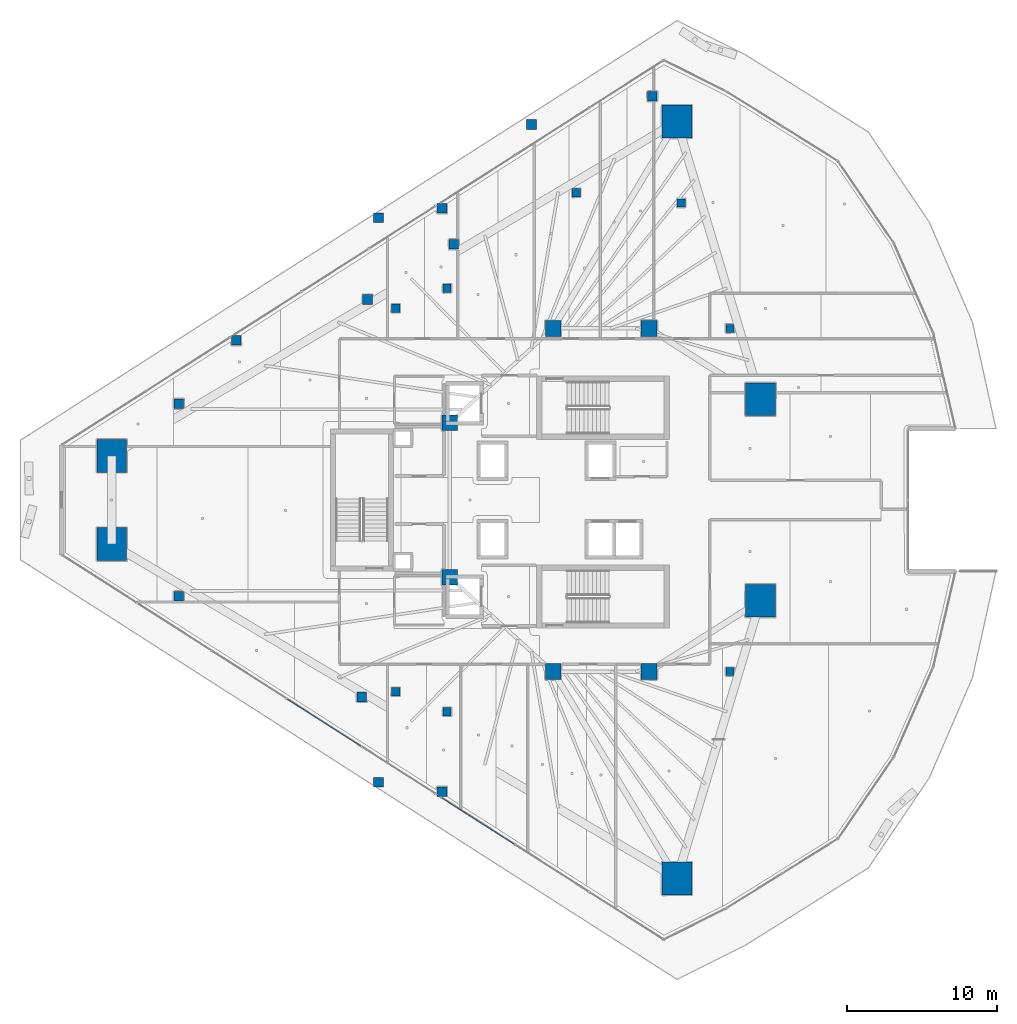
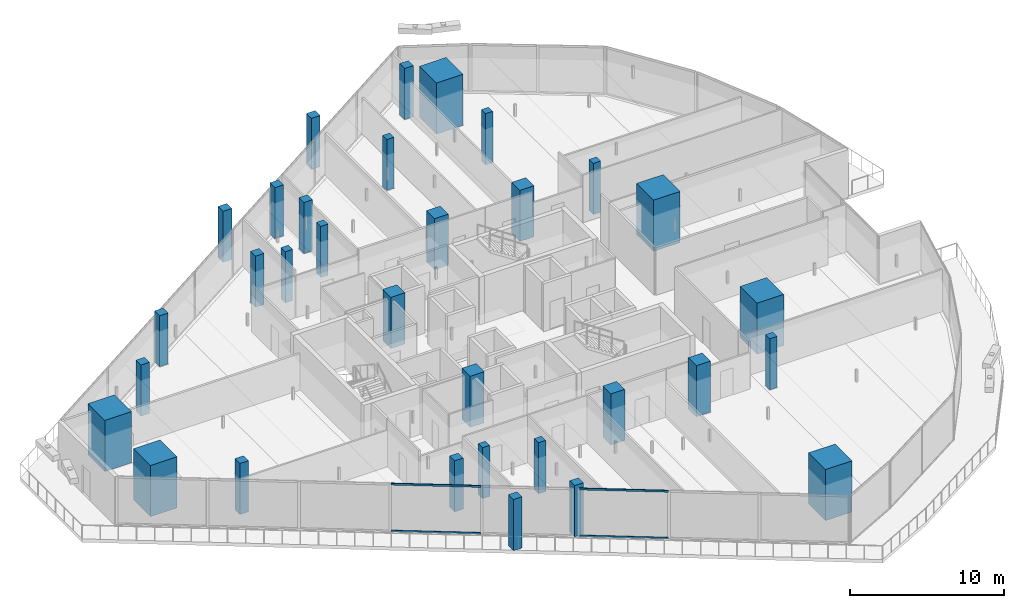
# One storey, part 1 of 39: 32 columns, 4 members, 2 elements without a shape of their own.
"""IFC4 building model written with IfcOpenShell, lengths in metres."""

from ifc_helpers import new_model, si_unit, direction, frame, origin, origin_2d, place, context, subcontext, project, spatial, rectangle, hollow_rectangle, extrude, material, layer, layer_set, material_profile, profile_set, type_object, element, aggregate, save


model = new_model("IFC4")

# Units and contexts
model_context = context("Model", 3, precision=1e-05, world=origin(), true_north=direction((0.0, 1.0)))
body_context = subcontext(model_context, "Body", "Model", "MODEL_VIEW")
ifc_project = project(units=[si_unit("LENGTHUNIT", "METRE"), si_unit("AREAUNIT", "SQUARE_METRE"), si_unit("VOLUMEUNIT", "CUBIC_METRE"), si_unit("PLANEANGLEUNIT", "RADIAN"), si_unit("MASSUNIT", "GRAM", prefix="KILO")], contexts=[model_context])

# Site, building, storey
site_placement = place(None, origin())
site = spatial("IfcSite", under=ifc_project, at=site_placement, CompositionType="ELEMENT")
building_placement = place(site_placement, origin())
building = spatial("IfcBuilding", under=site, at=building_placement, Name="Qorvath Tower", CompositionType="ELEMENT")
storey_placement = place(building_placement, frame((0.0, 0.0, 162.449951171875)))
storey = spatial("IfcBuildingStorey", under=building, at=storey_placement, Name="L37", CompositionType="ELEMENT", Elevation=162.449951171875)

# Columns
ifc_material_1 = material(Name="Concrete C70/85", Category="concrete")
ifc_material_profile_1 = material_profile(ifc_material_1, rectangle(XDim=2.0, YDim=2.199951171875, at=origin_2d()), Name="MC 2200x2000")
ifc_profile_set_1 = profile_set([ifc_material_profile_1], Name="Concrete C70/85")
column_type_1 = type_object("IfcColumnType", Name="COL-MC2", PredefinedType="COLUMN", material=ifc_profile_set_1)
for number, where, z_axis, x_axis, name in (
    (1, (-53.04931640625, 2.95068359375, 0.0), (0.0, 0.0, 1.0), (1.0, 0.0, 0.0), "Composite Mega-Column MC1 L37"),
    (2, (-53.04931640625, -2.95068359375, 0.0), (0.0, 0.0, 1.0), (1.0, 0.0, 0.0), "Composite Mega-Column MC2 L37"),
    (3, (-15.34423828125, -25.24609375, 0.0), (0.0, 0.0, 1.0), (1.0, 0.0, 0.0), "Composite Mega-Column MC3 L37"),
    (4, (-9.770263671875, -6.721435546875, 0.0), (0.0, 0.0, 1.0), (1.0, 0.0, 0.0), "Composite Mega-Column MC4 L37"),
    (5, (-9.770263671875, 6.721435546875, 0.0), (0.0, 0.0, 1.0), (1.0, 0.0, 0.0), "Composite Mega-Column MC5 L37"),
    (6, (-15.34423828125, 25.24609375, 0.0), (0.0, 0.0, 1.0), (1.0, 0.0, 0.0), "Composite Mega-Column MC6 L37"),
):
    element("IfcColumn", number, at=place(storey_placement, frame(where, z_axis=z_axis, x_axis=x_axis)), inside=storey, type_object=column_type_1, Name=name, PredefinedType="COLUMN", context=body_context, shape_type="SweptSolid", body=[
        extrude(rectangle(XDim=2.0, YDim=2.199951171875, at=origin_2d()), origin(), (0.0, 0.0, 1.0), 4.050048828125),
    ])
ifc_material_2 = material(Name="Concrete C60/75", Category="concrete")
ifc_material_profile_2 = material_profile(ifc_material_2, rectangle(XDim=1.050048828125, YDim=1.050048828125, at=origin_2d()), Name="RC 1050x1050")
ifc_profile_set_2 = profile_set([ifc_material_profile_2], Name="Concrete C60/75")
column_type_2 = type_object("IfcColumnType", Name="COL-RC2", PredefinedType="COLUMN", material=ifc_profile_set_2)
for number, where, z_axis, x_axis, name in (
    (7, (-23.60009765625, 11.449951171875, 0.0), (0.0, 0.0, 1.0), (1.0, 0.0, 0.0), "Core Spine Column CC1 L37"),
    (8, (-17.199951171875, 11.449951171875, 0.0), (0.0, 0.0, 1.0), (1.0, 0.0, 0.0), "Core Spine Column CC2 L37"),
    (9, (-17.199951171875, -11.449951171875, 0.0), (0.0, 0.0, 1.0), (1.0, 0.0, 0.0), "Core Spine Column CC3 L37"),
    (10, (-23.60009765625, -11.449951171875, 0.0), (0.0, 0.0, 1.0), (1.0, 0.0, 0.0), "Core Spine Column CC4 L37"),
    (11, (-30.5, 5.14990234375, 0.0), (0.0, 0.0, 1.0), (1.0, 0.0, 0.0), "Core Spine Column CC5 L37"),
    (12, (-30.5, -5.14990234375, 0.0), (0.0, 0.0, 1.0), (1.0, 0.0, 0.0), "Core Spine Column CC6 L37"),
):
    element("IfcColumn", number, at=place(storey_placement, frame(where, z_axis=z_axis, x_axis=x_axis)), inside=storey, type_object=column_type_2, Name=name, PredefinedType="COLUMN", context=body_context, shape_type="SweptSolid", body=[
        extrude(rectangle(XDim=1.050048828125, YDim=1.050048828125, at=origin_2d()), origin(), (0.0, 0.0, 1.0), 4.050048828125),
    ])
ifc_material_3 = material(Name="Concrete C45/55", Category="concrete")
ifc_material_profile_3 = material_profile(ifc_material_3, rectangle(XDim=0.64990234375, YDim=0.64990234375, at=origin_2d()), Name="RC 650x650")
ifc_profile_set_3 = profile_set([ifc_material_profile_3], Name="Concrete C45/55")
column_type_3 = type_object("IfcColumnType", Name="COL-RC6", PredefinedType="COLUMN", material=ifc_profile_set_3)
for number, where, z_axis, x_axis, name in (
    (13, (-35.251708984375, 18.829345703125, 0.0), (0.0, 0.0, 1.0), (1.0, 0.0, 0.0), "Loggia Frame Pier Column LGC1 L37"),
    (14, (-35.251708984375, -18.829345703125, 0.0), (0.0, 0.0, 1.0), (1.0, 0.0, 0.0), "Loggia Frame Pier Column LGC2 L37"),
    (15, (-25.03759765625, 25.058837890625, 0.0), (0.0, 0.0, 1.0), (1.0, 0.0, 0.0), "Loggia Frame Pier Column LGC3 L37"),
    (16, (-31.01611328125, 19.46044921875, 0.0), (0.0, 0.0, 1.0), (1.0, 0.0, 0.0), "Loggia Frame Pier Column LGD1 L37"),
    (17, (-31.01611328125, -19.46044921875, 0.0), (0.0, 0.0, 1.0), (1.0, 0.0, 0.0), "Loggia Frame Pier Column LGD2 L37"),
    (18, (-44.736328125, 10.65234375, 0.0), (0.0, 0.0, 1.0), (1.0, 0.0, 0.0), "Loggia Frame Pier Column LGD3 L37"),
    (19, (-48.578369140625, 6.424560546875, 0.0), (0.0, 0.0, 1.0), (1.0, 0.0, 0.0), "Loggia Frame Pier Column LGE1 L37"),
    (20, (-48.578369140625, -6.424560546875, 0.0), (0.0, 0.0, 1.0), (1.0, 0.0, 0.0), "Loggia Frame Pier Column LGE2 L37"),
    (21, (-16.981201171875, 26.92919921875, 0.0), (0.0, 0.0, 1.0), (1.0, 0.0, 0.0), "Loggia Frame Pier Column LGE3 L37"),
    (22, (-35.980712890625, 13.380859375, 0.0), (0.0, 0.0, 1.0), (1.0, 0.0, 0.0), "Loggia Frame Pier Column LGF1 L37"),
    (23, (-36.36474609375, -13.135498046875, 0.0), (0.0, 0.0, 1.0), (1.0, 0.0, 0.0), "Loggia Frame Pier Column LGF2 L37"),
    (24, (-30.224853515625, 17.0595703125, 0.0), (0.0, 0.0, 1.0), (1.0, 0.0, 0.0), "Loggia Frame Pier Column LGF3 L37"),
):
    element("IfcColumn", number, at=place(storey_placement, frame(where, z_axis=z_axis, x_axis=x_axis)), inside=storey, type_object=column_type_3, Name=name, PredefinedType="COLUMN", context=body_context, shape_type="SweptSolid", body=[
        extrude(rectangle(XDim=0.64990234375, YDim=0.64990234375, at=origin_2d()), origin(), (0.0, 0.0, 1.0), 4.050048828125),
    ])
ifc_material_4 = material(Name="Concrete C45/55", Category="concrete")
ifc_material_profile_4 = material_profile(ifc_material_4, rectangle(XDim=0.550048828125, YDim=0.550048828125, at=origin_2d()), Name="RC 550x550")
ifc_profile_set_4 = profile_set([ifc_material_profile_4], Name="Concrete C45/55")
column_type_4 = type_object("IfcColumnType", Name="COL-RC7", PredefinedType="COLUMN", material=ifc_profile_set_4)
for number, where, z_axis, x_axis, name in (
    (25, (-34.104248046875, 12.79248046875, 0.0), (0.0, 0.0, 1.0), (1.0, 0.0, 0.0), "Loggia Frame Pier Column LGG1 L37"),
    (26, (-34.104248046875, -12.79248046875, 0.0), (0.0, 0.0, 1.0), (1.0, 0.0, 0.0), "Loggia Frame Pier Column LGG2 L37"),
    (27, (-22.05322265625, 20.494873046875, 0.0), (0.0, 0.0, 1.0), (1.0, 0.0, 0.0), "Loggia Frame Pier Column LGG3 L37"),
    (28, (-30.67724609375, 14.124267578125, 0.0), (0.0, 0.0, 1.0), (1.0, 0.0, 0.0), "Loggia Frame Pier Column LGH1 L37"),
    (29, (-30.67724609375, -14.124267578125, 0.0), (0.0, 0.0, 1.0), (1.0, 0.0, 0.0), "Loggia Frame Pier Column LGH2 L37"),
    (30, (-15.046142578125, 19.818115234375, 0.0), (0.0, 0.0, 1.0), (1.0, 0.0, 0.0), "Loggia Frame Pier Column LGH3 L37"),
    (31, (-11.800048828125, -11.449951171875, 0.0), (0.0, 0.0, 1.0), (1.0, 0.0, 0.0), "Central Slot Jamb Column SC1 L37"),
    (32, (-11.800048828125, 11.449951171875, 0.0), (0.0, 0.0, 1.0), (1.0, 0.0, 0.0), "Central Slot Jamb Column SC2 L37"),
):
    element("IfcColumn", number, at=place(storey_placement, frame(where, z_axis=z_axis, x_axis=x_axis)), inside=storey, type_object=column_type_4, Name=name, PredefinedType="COLUMN", context=body_context, shape_type="SweptSolid", body=[
        extrude(rectangle(XDim=0.550048828125, YDim=0.550048828125, at=origin_2d()), origin(), (0.0, 0.0, 1.0), 4.050048828125),
    ])

# Curtain wall, members
ifc_material_5 = material(Name="Anodised aluminium and triple low-E glass", Category="aluminium")
ifc_layer = layer(ifc_material_5, 0.179931640625)
ifc_layer_set = layer_set([ifc_layer], Name="CW-SYS-3")
curtain_wall_type = type_object("IfcCurtainWallType", Name="CW-SYS-3", PredefinedType="NOTDEFINED", material=ifc_layer_set)
curtain_wall_1_placement = place(storey_placement, origin())
curtain_wall_1 = element("IfcCurtainWall", 33, at=curtain_wall_1_placement, inside=storey, type_object=curtain_wall_type, Name="Curtain Wall CW-3 CW-T-L37-2.1", PredefinedType="NOTDEFINED")
ifc_material_6 = material(Name="Anodised aluminium 6063-T6", Category="aluminium")
ifc_material_profile_5 = material_profile(ifc_material_6, hollow_rectangle(XDim=0.06494140625, YDim=0.159912109375, WallThickness=0.00341796875, InnerFilletRadius=0.00341796875, OuterFilletRadius=0.007080078125, at=origin_2d()), Name="CWT 160x65")
ifc_profile_set_5 = profile_set([ifc_material_profile_5], Name="Anodised aluminium 6063-T6")
member_type = type_object("IfcMemberType", Name="CWT-160", PredefinedType="USERDEFINED", material=ifc_profile_set_5)
member_1_placement = place(storey_placement, frame((-41.357177734375, -13.269775390625, 0.032470703125), z_axis=(0.842609735006, -0.538524683253, 0.0), x_axis=(0.538524683253, 0.842609735006, 0.0)))
member_1 = element("IfcMember", 34, at=member_1_placement, type_object=member_type, Name="CW-3 transom 4.1", ObjectType="TRANSOM", PredefinedType="USERDEFINED", context=body_context, shape_type="SweptSolid", body=[
    extrude(hollow_rectangle(XDim=0.06494140625, YDim=0.159912109375, WallThickness=0.00341796875, InnerFilletRadius=0.00341796875, OuterFilletRadius=0.007080078125, at=origin_2d()), origin(), (0.0, 0.0, 1.0), 5.8681640625),
])
member_2_placement = place(storey_placement, frame((-41.357177734375, -13.269775390625, 3.74755859375), z_axis=(0.842609735006, -0.538524683253, 0.0), x_axis=(0.538524683253, 0.842609735006, 0.0)))
member_2 = element("IfcMember", 35, at=member_2_placement, type_object=member_type, Name="CW-3 transom 4.2", ObjectType="TRANSOM", PredefinedType="USERDEFINED", context=body_context, shape_type="SweptSolid", body=[
    extrude(hollow_rectangle(XDim=0.06494140625, YDim=0.159912109375, WallThickness=0.00341796875, InnerFilletRadius=0.00341796875, OuterFilletRadius=0.007080078125, at=origin_2d()), origin(), (0.0, 0.0, 1.0), 5.8681640625),
])
aggregate(curtain_wall_1, [member_1, member_2])

curtain_wall_2_placement = place(storey_placement, origin())
curtain_wall_2 = element("IfcCurtainWall", 36, at=curtain_wall_2_placement, inside=storey, type_object=curtain_wall_type, Name="Curtain Wall CW-3 CW-T-L37-2.2", PredefinedType="NOTDEFINED")
member_3_placement = place(storey_placement, frame((-31.03759765625, -19.865234375, 0.032470703125), z_axis=(0.842594665746, -0.538548260843, 0.0), x_axis=(0.538548260843, 0.842594665746, 0.0)))
member_3 = element("IfcMember", 37, at=member_3_placement, type_object=member_type, Name="CW-3 transom 1.1", ObjectType="TRANSOM", PredefinedType="USERDEFINED", context=body_context, shape_type="SweptSolid", body=[
    extrude(hollow_rectangle(XDim=0.06494140625, YDim=0.159912109375, WallThickness=0.00341796875, InnerFilletRadius=0.00341796875, OuterFilletRadius=0.007080078125, at=origin_2d()), origin(), (0.0, 0.0, 1.0), 5.785400390625),
])
member_4_placement = place(storey_placement, frame((-31.03759765625, -19.865234375, 3.74755859375), z_axis=(0.842594665746, -0.538548260843, 0.0), x_axis=(0.538548260843, 0.842594665746, 0.0)))
member_4 = element("IfcMember", 38, at=member_4_placement, type_object=member_type, Name="CW-3 transom 1.2", ObjectType="TRANSOM", PredefinedType="USERDEFINED", context=body_context, shape_type="SweptSolid", body=[
    extrude(hollow_rectangle(XDim=0.06494140625, YDim=0.159912109375, WallThickness=0.00341796875, InnerFilletRadius=0.00341796875, OuterFilletRadius=0.007080078125, at=origin_2d()), origin(), (0.0, 0.0, 1.0), 5.785400390625),
])
aggregate(curtain_wall_2, [member_3, member_4])

save(model, "model.ifc")
